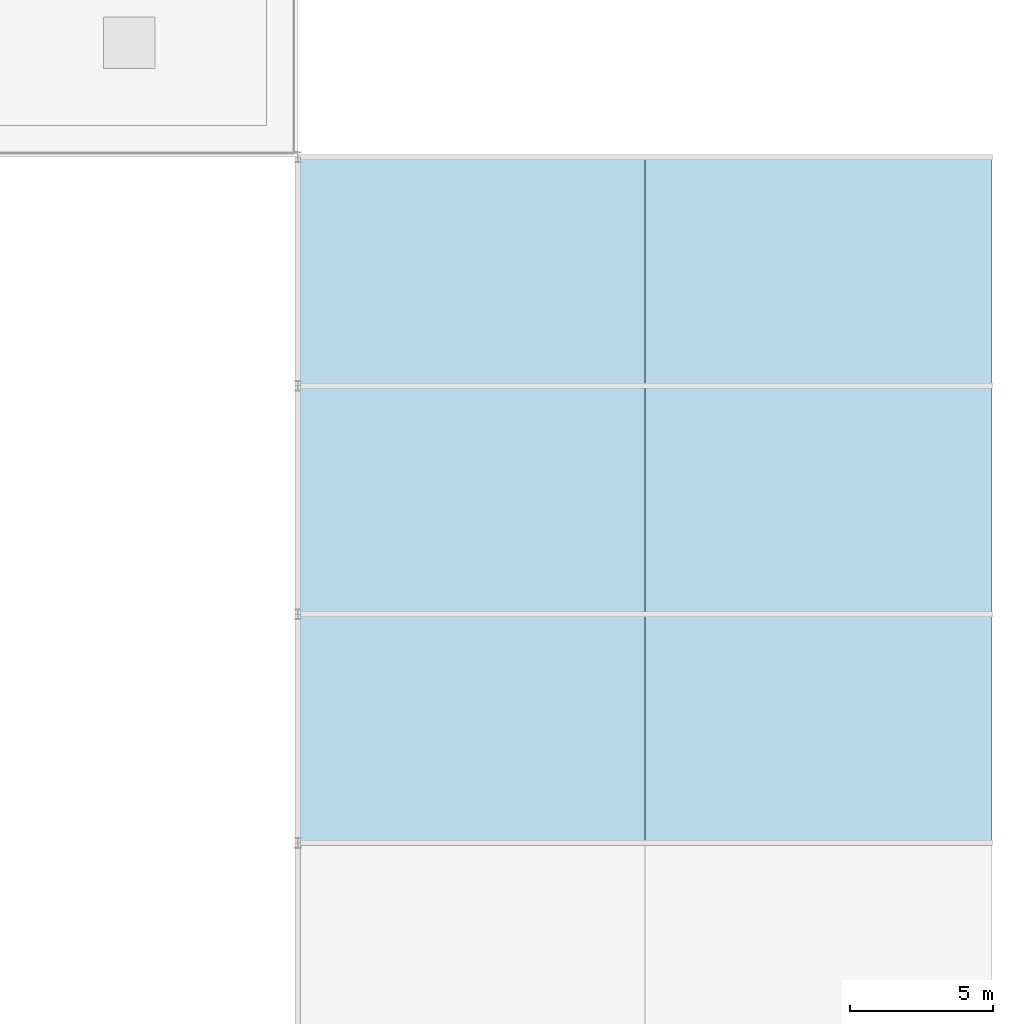
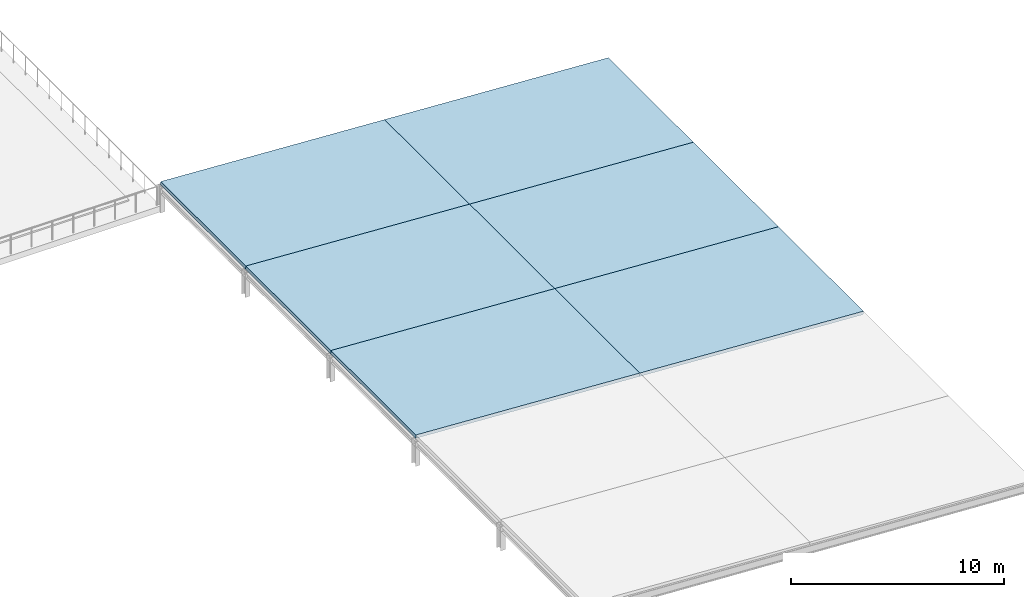
# One storey, part 28 of 36: 6 slabs.
"""IFC4 building model written with IfcOpenShell, lengths in metres."""

from ifc_helpers import new_model, si_unit, direction, frame, origin, place, context, subcontext, project, spatial, polyline, outline, extrude, material, layer, layer_set, type_object, element, save


model = new_model("IFC4")

# Units and contexts
model_context = context("Model", 3, precision=1e-05, world=origin(), true_north=direction((0.0, 1.0)))
body_context = subcontext(model_context, "Body", "Model", "MODEL_VIEW")
ifc_project = project(units=[si_unit("LENGTHUNIT", "METRE"), si_unit("AREAUNIT", "SQUARE_METRE"), si_unit("VOLUMEUNIT", "CUBIC_METRE"), si_unit("PLANEANGLEUNIT", "RADIAN"), si_unit("MASSUNIT", "GRAM", prefix="KILO")], contexts=[model_context])

# Site, building, storey
site_placement = place(None, origin())
site = spatial("IfcSite", under=ifc_project, at=site_placement, CompositionType="ELEMENT")
building_placement = place(site_placement, origin())
building = spatial("IfcBuilding", under=site, at=building_placement, Name="Tarnveldt Square Police Headquarters", CompositionType="ELEMENT")
storey_placement = place(building_placement, frame((0.0, 0.0, 24.89990234375)))
storey = spatial("IfcBuildingStorey", under=building, at=storey_placement, Name="L05", CompositionType="ELEMENT", Elevation=24.89990234375)

# Slabs
ifc_material = material(Name="Precast concrete 35 MPa", Category="concrete")
ifc_layer = layer(ifc_material, 0.18994140625)
ifc_layer_set = layer_set([ifc_layer], Name="Precast concrete 35 MPa")
slab_type = type_object("IfcSlabType", Name="SL-PITCH-190", PredefinedType="ROOF", material=ifc_layer_set)
slab_1_placement = place(storey_placement, frame((105.300048828125, 72.0, 1.400146484375), z_axis=(0.057514250957, 0.0, 0.998344685435), x_axis=(0.0, 1.0, 0.0)))
element("IfcSlab", 1, at=slab_1_placement, inside=storey, type_object=slab_type, Name="Tactical Block Pitched Roof 3.1", PredefinedType="ROOF", context=body_context, shape_type="SweptSolid", body=[
    extrude(outline(polyline([(0.0, 0.0), (8.0, 0.0), (8.0, -12.170047600797252), (0.0, -12.170047600797252), (0.0, 0.0)])), origin(), (0.0, 0.0, -1.0), 0.18994140625),
])
slab_2_placement = place(storey_placement, frame((117.449951171875, 72.0, 0.7001953125), z_axis=(0.057533093097, 0.0, 0.998343599769), x_axis=(0.0, 1.0, 0.0)))
element("IfcSlab", 2, at=slab_2_placement, inside=storey, type_object=slab_type, Name="Tactical Block Pitched Roof 3.2", PredefinedType="ROOF", context=body_context, shape_type="SweptSolid", body=[
    extrude(outline(polyline([(0.0, 0.0), (8.0, 0.0), (8.0, -12.170305381025456), (0.0, -12.170305381025456), (0.0, 0.0)])), origin(), (0.0, 0.0, -1.0), 0.18994140625),
])
slab_3_placement = place(storey_placement, frame((105.300048828125, 80.0, 1.400146484375), z_axis=(0.057514250957, 0.0, 0.998344685435), x_axis=(0.0, 1.0, 0.0)))
element("IfcSlab", 3, at=slab_3_placement, inside=storey, type_object=slab_type, Name="Tactical Block Pitched Roof 4.1", PredefinedType="ROOF", context=body_context, shape_type="SweptSolid", body=[
    extrude(outline(polyline([(0.0, 0.0), (8.0, 0.0), (8.0, -12.170047600797252), (0.0, -12.170047600797252), (0.0, 0.0)])), origin(), (0.0, 0.0, -1.0), 0.18994140625),
])
slab_4_placement = place(storey_placement, frame((117.449951171875, 80.0, 0.7001953125), z_axis=(0.057533093097, 0.0, 0.998343599769), x_axis=(0.0, 1.0, 0.0)))
element("IfcSlab", 4, at=slab_4_placement, inside=storey, type_object=slab_type, Name="Tactical Block Pitched Roof 4.2", PredefinedType="ROOF", context=body_context, shape_type="SweptSolid", body=[
    extrude(outline(polyline([(0.0, 0.0), (8.0, 0.0), (8.0, -12.170305381025456), (0.0, -12.170305381025456), (0.0, 0.0)])), origin(), (0.0, 0.0, -1.0), 0.18994140625),
])
slab_5_placement = place(storey_placement, frame((105.300048828125, 88.0, 1.400146484375), z_axis=(0.057514250957, 0.0, 0.998344685435), x_axis=(0.0, 1.0, 0.0)))
element("IfcSlab", 5, at=slab_5_placement, inside=storey, type_object=slab_type, Name="Tactical Block Pitched Roof 5.1", PredefinedType="ROOF", context=body_context, shape_type="SweptSolid", body=[
    extrude(outline(polyline([(0.0, 0.0), (8.0, 0.0), (8.0, -12.170047600797252), (0.0, -12.170047600797252), (0.0, 0.0)])), origin(), (0.0, 0.0, -1.0), 0.18994140625),
])
slab_6_placement = place(storey_placement, frame((117.449951171875, 88.0, 0.7001953125), z_axis=(0.057533093097, 0.0, 0.998343599769), x_axis=(0.0, 1.0, 0.0)))
element("IfcSlab", 6, at=slab_6_placement, inside=storey, type_object=slab_type, Name="Tactical Block Pitched Roof 5.2", PredefinedType="ROOF", context=body_context, shape_type="SweptSolid", body=[
    extrude(outline(polyline([(0.0, 0.0), (8.0, 0.0), (8.0, -12.170305381025456), (0.0, -12.170305381025456), (0.0, 0.0)])), origin(), (0.0, 0.0, -1.0), 0.18994140625),
])

save(model, "model.ifc")
